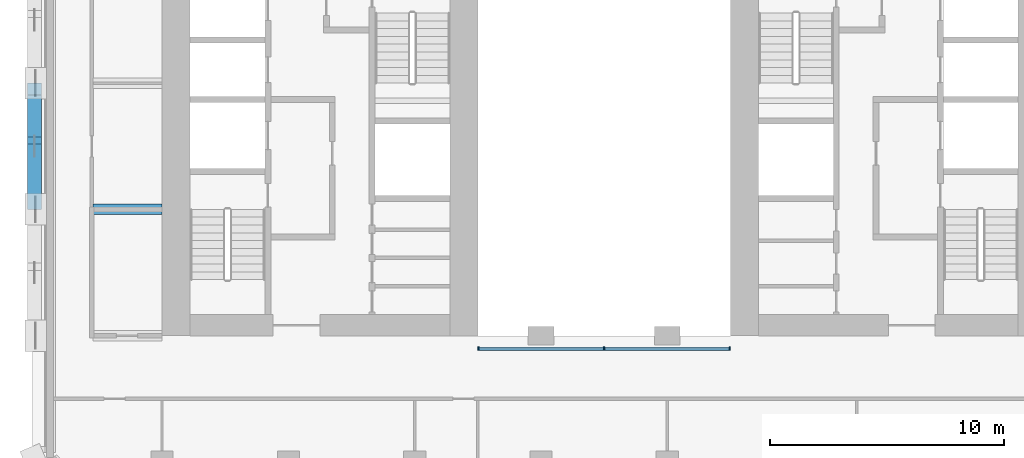
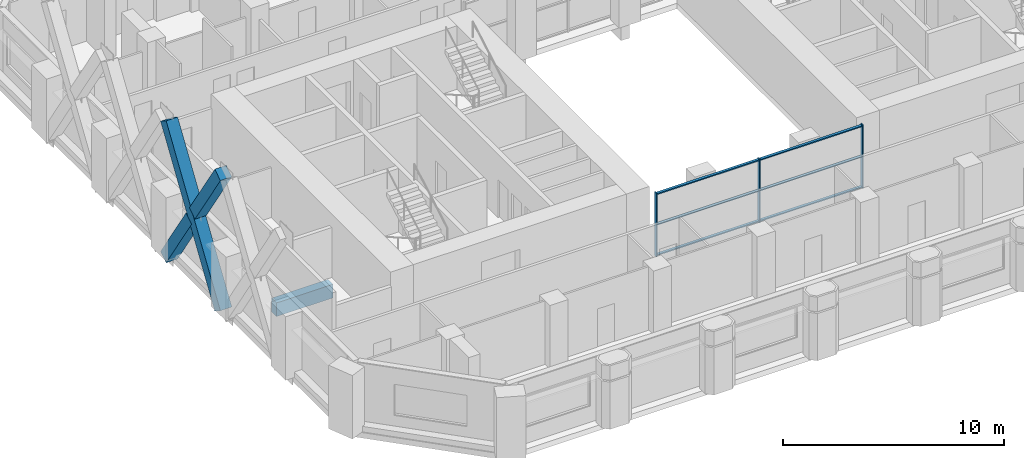
# One storey, part 2 of 14: 12 members, 1 beam, 1 element without a shape of its own.
"""IFC4 building model written with IfcOpenShell, lengths in metres."""

from ifc_helpers import new_model, si_unit, direction, frame, origin, origin_2d, place, context, subcontext, project, spatial, rectangle, extrude, material, material_profile, profile_set, type_object, element, aggregate, save


model = new_model("IFC4")

# Units and contexts
model_context = context("Model", 3, precision=1e-05, world=origin(), true_north=direction((0.0, 1.0)))
body_context = subcontext(model_context, "Body", "Model", "MODEL_VIEW")
ifc_project = project(units=[si_unit("LENGTHUNIT", "METRE"), si_unit("AREAUNIT", "SQUARE_METRE"), si_unit("VOLUMEUNIT", "CUBIC_METRE"), si_unit("PLANEANGLEUNIT", "RADIAN"), si_unit("MASSUNIT", "GRAM", prefix="KILO")], contexts=[model_context])

# Site, building, storey
site_placement = place(None, origin())
site = spatial("IfcSite", under=ifc_project, at=site_placement, CompositionType="ELEMENT")
building_placement = place(site_placement, origin())
building = spatial("IfcBuilding", under=site, at=building_placement, Name="Tabaq Tower and Sports Hall", CompositionType="ELEMENT")
storey_placement = place(building_placement, frame((0.0, 0.0, 95.39990234375)))
storey = spatial("IfcBuildingStorey", under=building, at=storey_placement, Name="L22", CompositionType="ELEMENT", Elevation=95.39990234375)

# Curtain wall, members
ifc_material_1 = material(Name="Aluminium alloy 6063-T6 framed glazing", Category="aluminium")
curtain_wall_type = type_object("IfcCurtainWallType", Name="CW1 curtain wall", PredefinedType="USERDEFINED", material=ifc_material_1)
curtain_wall_placement = place(storey_placement, origin())
curtain_wall = element("IfcCurtainWall", 1, at=curtain_wall_placement, inside=storey, type_object=curtain_wall_type, Name="Atrium glazing L22 S", ObjectType="ATRIUM ENCLOSURE", PredefinedType="USERDEFINED")
ifc_material_2 = material(Name="Aluminium alloy 6063-T6", Category="aluminium")
ifc_material_profile_1 = material_profile(ifc_material_2, rectangle(XDim=0.159912109375, YDim=0.06005859375, at=origin_2d()), Name="MULLION 160x60")
ifc_profile_set_1 = profile_set([ifc_material_profile_1], Name="Aluminium alloy 6063-T6")
member_type_1 = type_object("IfcMemberType", Name="CW1 mullion 160x60", PredefinedType="MULLION", material=ifc_profile_set_1)
member_1_placement = place(storey_placement, frame((18.929931640625, 15.64990234375, 0.0), z_axis=(0.0, 0.0, 1.0), x_axis=(0.0, 1.0, 0.0)))
member_1 = element("IfcMember", 2, at=member_1_placement, type_object=member_type_1, Name="CW1 mullion 1", PredefinedType="MULLION", context=body_context, shape_type="SweptSolid", body=[
    extrude(rectangle(XDim=0.159912109375, YDim=0.06005859375, at=origin_2d()), origin(), (0.0, 0.0, 1.0), 3.5),
])
member_2_placement = place(storey_placement, frame((24.300048828125, 15.64990234375, 0.0), z_axis=(0.0, 0.0, 1.0), x_axis=(0.0, 1.0, 0.0)))
member_2 = element("IfcMember", 3, at=member_2_placement, type_object=member_type_1, Name="CW1 mullion 2", PredefinedType="MULLION", context=body_context, shape_type="SweptSolid", body=[
    extrude(rectangle(XDim=0.159912109375, YDim=0.06005859375, at=origin_2d()), origin(), (0.0, 0.0, 1.0), 3.5),
])
member_3_placement = place(storey_placement, frame((29.669921875, 15.64990234375, 0.0), z_axis=(0.0, 0.0, 1.0), x_axis=(0.0, 1.0, 0.0)))
member_3 = element("IfcMember", 4, at=member_3_placement, type_object=member_type_1, Name="CW1 mullion 3", PredefinedType="MULLION", context=body_context, shape_type="SweptSolid", body=[
    extrude(rectangle(XDim=0.159912109375, YDim=0.06005859375, at=origin_2d()), origin(), (0.0, 0.0, 1.0), 3.5),
])
ifc_material_3 = material(Name="Aluminium alloy 6063-T6", Category="aluminium")
ifc_material_profile_2 = material_profile(ifc_material_3, rectangle(XDim=0.139892578125, YDim=0.06005859375, at=origin_2d()), Name="TRANSOM 140x60")
ifc_profile_set_2 = profile_set([ifc_material_profile_2], Name="Aluminium alloy 6063-T6")
member_type_2 = type_object("IfcMemberType", Name="CW1 transom 140x60", PredefinedType="USERDEFINED", material=ifc_profile_set_2)
member_4_placement = place(storey_placement, frame((18.9599609375, 15.64990234375, 0.070068359375), z_axis=(1.0, 0.0, 0.0), x_axis=(0.0, 1.0, 0.0)))
member_4 = element("IfcMember", 5, at=member_4_placement, type_object=member_type_2, Name="CW1 transom 1.1", ObjectType="TRANSOM", PredefinedType="USERDEFINED", context=body_context, shape_type="SweptSolid", body=[
    extrude(rectangle(XDim=0.139892578125, YDim=0.06005859375, at=origin_2d()), origin(), (0.0, 0.0, 1.0), 5.31005859375),
])
member_5_placement = place(storey_placement, frame((18.9599609375, 15.64990234375, 1.75), z_axis=(1.0, 0.0, 0.0), x_axis=(0.0, 1.0, 0.0)))
member_5 = element("IfcMember", 6, at=member_5_placement, type_object=member_type_2, Name="CW1 transom 1.2", ObjectType="TRANSOM", PredefinedType="USERDEFINED", context=body_context, shape_type="SweptSolid", body=[
    extrude(rectangle(XDim=0.139892578125, YDim=0.06005859375, at=origin_2d()), origin(), (0.0, 0.0, 1.0), 5.31005859375),
])
member_6_placement = place(storey_placement, frame((18.9599609375, 15.64990234375, 3.43017578125), z_axis=(1.0, 0.0, 0.0), x_axis=(0.0, 1.0, 0.0)))
member_6 = element("IfcMember", 7, at=member_6_placement, type_object=member_type_2, Name="CW1 transom 1.3", ObjectType="TRANSOM", PredefinedType="USERDEFINED", context=body_context, shape_type="SweptSolid", body=[
    extrude(rectangle(XDim=0.139892578125, YDim=0.06005859375, at=origin_2d()), origin(), (0.0, 0.0, 1.0), 5.31005859375),
])
member_7_placement = place(storey_placement, frame((24.330078125, 15.64990234375, 0.070068359375), z_axis=(1.0, 0.0, 0.0), x_axis=(0.0, 1.0, 0.0)))
member_7 = element("IfcMember", 8, at=member_7_placement, type_object=member_type_2, Name="CW1 transom 2.1", ObjectType="TRANSOM", PredefinedType="USERDEFINED", context=body_context, shape_type="SweptSolid", body=[
    extrude(rectangle(XDim=0.139892578125, YDim=0.06005859375, at=origin_2d()), origin(), (0.0, 0.0, 1.0), 5.309814453125),
])
member_8_placement = place(storey_placement, frame((24.330078125, 15.64990234375, 1.75), z_axis=(1.0, 0.0, 0.0), x_axis=(0.0, 1.0, 0.0)))
member_8 = element("IfcMember", 9, at=member_8_placement, type_object=member_type_2, Name="CW1 transom 2.2", ObjectType="TRANSOM", PredefinedType="USERDEFINED", context=body_context, shape_type="SweptSolid", body=[
    extrude(rectangle(XDim=0.139892578125, YDim=0.06005859375, at=origin_2d()), origin(), (0.0, 0.0, 1.0), 5.309814453125),
])
member_9_placement = place(storey_placement, frame((24.330078125, 15.64990234375, 3.43017578125), z_axis=(1.0, 0.0, 0.0), x_axis=(0.0, 1.0, 0.0)))
member_9 = element("IfcMember", 10, at=member_9_placement, type_object=member_type_2, Name="CW1 transom 2.3", ObjectType="TRANSOM", PredefinedType="USERDEFINED", context=body_context, shape_type="SweptSolid", body=[
    extrude(rectangle(XDim=0.139892578125, YDim=0.06005859375, at=origin_2d()), origin(), (0.0, 0.0, 1.0), 5.309814453125),
])
aggregate(curtain_wall, [member_1, member_2, member_3, member_4, member_5, member_6, member_7, member_8, member_9])

# Beam
ifc_material_4 = material(Name="Concrete C40/50", Category="concrete")
ifc_material_profile_3 = material_profile(ifc_material_4, rectangle(XDim=0.449951171875, YDim=0.75, at=origin_2d()), Name="CB 450x750")
ifc_profile_set_3 = profile_set([ifc_material_profile_3], Name="Concrete C40/50")
beam_type = type_object("IfcBeamType", Name="PT CANTILEVER BEAM CB 450x750 C40/50", PredefinedType="BEAM", material=ifc_profile_set_3)
beam_placement = place(storey_placement, frame((2.449951171875, 21.60009765625, -0.6748046875), z_axis=(1.0, 0.0, 0.0), x_axis=(0.0, 1.0, 0.0)))
element("IfcBeam", 11, at=beam_placement, inside=storey, type_object=beam_type, Name="Cantilever Beam L22 W4 span 1", PredefinedType="BEAM", context=body_context, shape_type="SweptSolid", body=[
    extrude(rectangle(XDim=0.449951171875, YDim=0.75, at=origin_2d()), origin(), (0.0, 0.0, 1.0), 2.949951171875),
])

# Members
ifc_material_5 = material(Name="Concrete C60/75", Category="concrete")
ifc_material_profile_4 = material_profile(ifc_material_5, rectangle(XDim=0.60009765625, YDim=0.60009765625, at=origin_2d()), Name="TRANSFER BAND BRACE 600x600")
ifc_profile_set_4 = profile_set([ifc_material_profile_4], Name="Concrete C60/75")
member_type_3 = type_object("IfcMemberType", Name="RC TRANSFER BAND BRACE 600x600 C60/75", PredefinedType="BRACE", material=ifc_profile_set_4)
member_10_placement = place(storey_placement, frame((-0.050048828125, 21.85009765625, -0.0498046875), z_axis=(0.0, 0.546940944285, 0.837171191253), x_axis=(-1.0, 0.0, 0.0)))
element("IfcMember", 12, at=member_10_placement, inside=storey, type_object=member_type_3, Name="Transfer Band Brace L22 West 16", PredefinedType="BRACE", context=body_context, shape_type="SweptSolid", body=[
    extrude(rectangle(XDim=0.60009765625, YDim=0.60009765625, at=origin_2d()), origin(), (0.0, 0.0, 1.0), 8.958740234375),
])
member_11_placement = place(storey_placement, frame((-0.050048828125, 26.75, -0.0498046875), z_axis=(0.0, -0.546939353543, 0.837172230516), x_axis=(1.0, 0.0, 0.0)))
element("IfcMember", 13, at=member_11_placement, inside=storey, type_object=member_type_3, Name="Transfer Band Brace L22 West 17", PredefinedType="BRACE", context=body_context, shape_type="SweptSolid", body=[
    extrude(rectangle(XDim=0.60009765625, YDim=0.60009765625, at=origin_2d()), origin(), (0.0, 0.0, 1.0), 4.20166015625),
])
member_12_placement = place(storey_placement, frame((-0.050048828125, 24.148193359375, 3.932373046875), z_axis=(0.0, -0.546912749448, 0.837189610836), x_axis=(1.0, 0.0, 0.0)))
element("IfcMember", 14, at=member_12_placement, inside=storey, type_object=member_type_3, Name="Transfer Band Brace L22 West 18", PredefinedType="BRACE", context=body_context, shape_type="SweptSolid", body=[
    extrude(rectangle(XDim=0.60009765625, YDim=0.60009765625, at=origin_2d()), origin(), (0.0, 0.0, 1.0), 4.201904296875),
])

save(model, "model.ifc")
